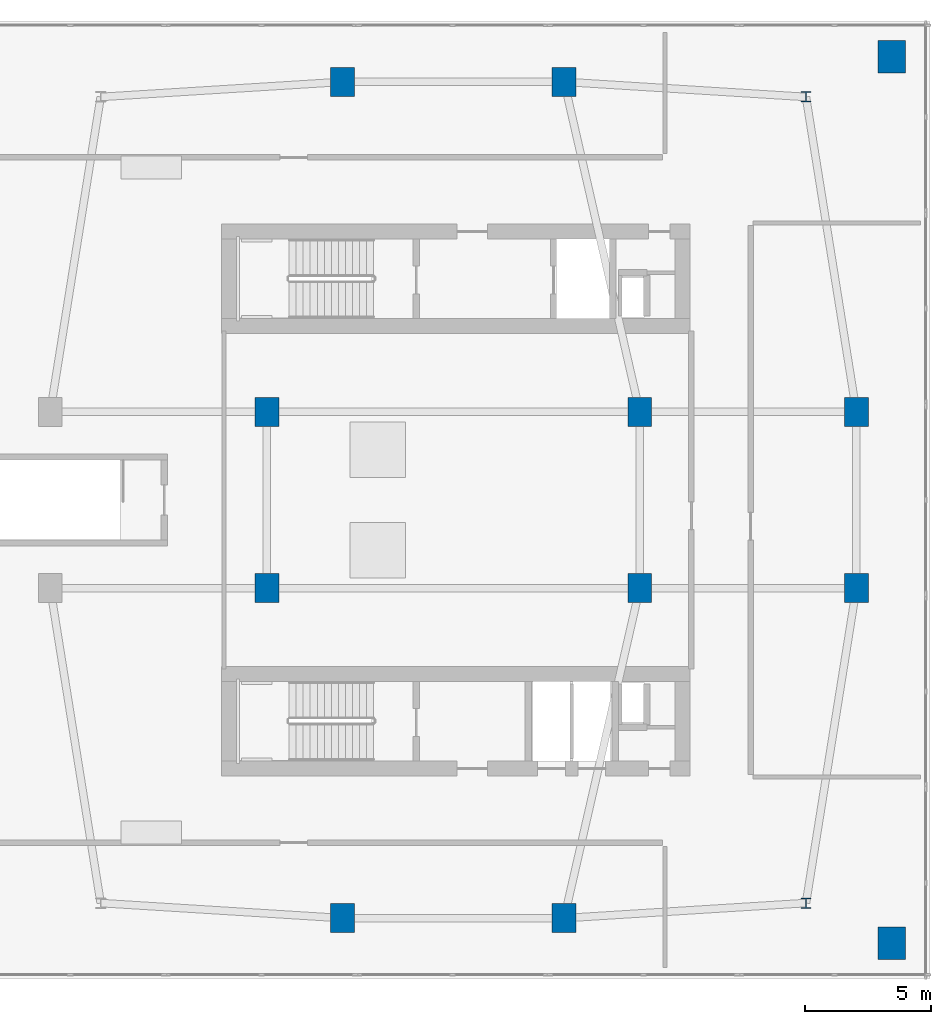
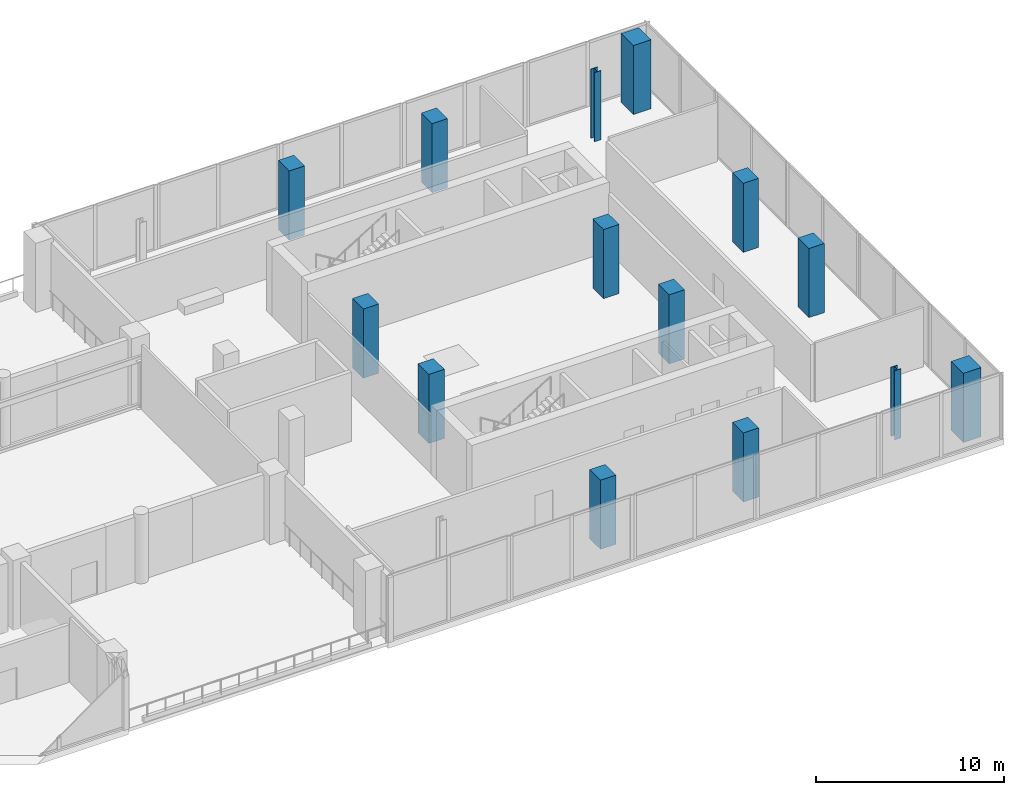
# One storey, part 3 of 21: 14 columns.
"""IFC4 building model written with IfcOpenShell, lengths in metres."""

from ifc_helpers import new_model, si_unit, derived_unit, direction, frame, origin, origin_2d, place, context, subcontext, project, spatial, rectangle, i_section, extrude, material, material_profile, profile_set, type_object, element, save


model = new_model("IFC4")

# Units and contexts
model_context = context("Model", 3, precision=1e-05, world=origin(), true_north=direction((0.0, 1.0)))
body_context = subcontext(model_context, "Body", "Model", "MODEL_VIEW")
ifc_project = project(units=[si_unit("LENGTHUNIT", "METRE"), si_unit("AREAUNIT", "SQUARE_METRE"), si_unit("VOLUMEUNIT", "CUBIC_METRE"), si_unit("PLANEANGLEUNIT", "RADIAN"), si_unit("MASSUNIT", "GRAM", prefix="KILO"), derived_unit("THERMALTRANSMITTANCEUNIT", [(si_unit("POWERUNIT", "WATT"), 1), (si_unit("LENGTHUNIT", "METRE"), -2), (si_unit("THERMODYNAMICTEMPERATUREUNIT", "KELVIN"), -1)])], contexts=[model_context])

# Site, building, storey
site_placement = place(None, origin())
site = spatial("IfcSite", under=ifc_project, at=site_placement, CompositionType="ELEMENT")
building_placement = place(site_placement, origin())
building = spatial("IfcBuilding", under=site, at=building_placement, Name="Kivonza Crest Hotel", CompositionType="ELEMENT")
storey_placement = place(building_placement, frame((0.0, 0.0, 19.5)))
storey = spatial("IfcBuildingStorey", under=building, at=storey_placement, Name="L04", CompositionType="ELEMENT", Elevation=19.5)

# Columns
ifc_material_1 = material(Name="Concrete C60/75", Category="concrete")
ifc_material_profile_1 = material_profile(ifc_material_1, rectangle(XDim=0.949951171875, YDim=1.14990234375, at=origin_2d()), Name="RC 1150x950")
ifc_profile_set_1 = profile_set([ifc_material_profile_1], Name="Concrete C60/75")
column_type_1 = type_object("IfcColumnType", Name="CL-RC-1150x950", PredefinedType="COLUMN", material=ifc_profile_set_1)
for number, where, z_axis, x_axis, name in (
    (1, (72.60009765625, 8.39990234375, 0.0), (0.0, 0.0, 1.0), (1.0, 0.0, 0.0), "Companion Tower T2 L04 column S1"),
    (2, (81.39990234375, 8.39990234375, 0.0), (0.0, 0.0, 1.0), (1.0, 0.0, 0.0), "Companion Tower T2 L04 column S2"),
    (3, (72.60009765625, 41.60009765625, 0.0), (0.0, 0.0, 1.0), (1.0, 0.0, 0.0), "Companion Tower T2 L04 column N1"),
    (4, (81.39990234375, 41.60009765625, 0.0), (0.0, 0.0, 1.0), (1.0, 0.0, 0.0), "Companion Tower T2 L04 column N2"),
    (5, (93.0, 21.5, 0.0), (0.0, 0.0, 1.0), (1.0, 0.0, 0.0), "Companion Tower T2 L04 column E1"),
    (6, (93.0, 28.5, 0.0), (0.0, 0.0, 1.0), (1.0, 0.0, 0.0), "Companion Tower T2 L04 column E2"),
    (7, (69.60009765625, 21.5, 0.0), (0.0, 0.0, 1.0), (1.0, 0.0, 0.0), "Companion Tower T2 L04 column WL1"),
    (8, (69.60009765625, 28.5, 0.0), (0.0, 0.0, 1.0), (1.0, 0.0, 0.0), "Companion Tower T2 L04 column WL2"),
    (9, (84.39990234375, 21.5, 0.0), (0.0, 0.0, 1.0), (1.0, 0.0, 0.0), "Companion Tower T2 L04 column WR1"),
    (10, (84.39990234375, 28.5, 0.0), (0.0, 0.0, 1.0), (1.0, 0.0, 0.0), "Companion Tower T2 L04 column WR2"),
):
    element("IfcColumn", number, at=place(storey_placement, frame(where, z_axis=z_axis, x_axis=x_axis)), inside=storey, type_object=column_type_1, Name=name, PredefinedType="COLUMN", context=body_context, shape_type="SweptSolid", body=[
        extrude(rectangle(XDim=0.949951171875, YDim=1.14990234375, at=origin_2d()), origin(), (0.0, 0.0, 1.0), 4.5),
    ])
ifc_material_profile_2 = material_profile(ifc_material_1, rectangle(XDim=1.10009765625, YDim=1.300048828125, at=origin_2d()), Name="RC 1300x1100")
ifc_profile_set_2 = profile_set([ifc_material_profile_2], Name="Concrete C60/75")
column_type_2 = type_object("IfcColumnType", Name="CL-RC-1300x1100", PredefinedType="COLUMN", material=ifc_profile_set_2)
for number, where, z_axis, x_axis, name in (
    (11, (94.39990234375, 7.39990234375, 0.0), (0.0, 0.0, 1.0), (1.0, 0.0, 0.0), "Podium L04 column PS44"),
    (12, (94.39990234375, 42.60009765625, 0.0), (0.0, 0.0, 1.0), (1.0, 0.0, 0.0), "Podium L04 column PN44"),
):
    element("IfcColumn", number, at=place(storey_placement, frame(where, z_axis=z_axis, x_axis=x_axis)), inside=storey, type_object=column_type_2, Name=name, PredefinedType="COLUMN", context=body_context, shape_type="SweptSolid", body=[
        extrude(rectangle(XDim=1.10009765625, YDim=1.300048828125, at=origin_2d()), origin(), (0.0, 0.0, 1.0), 4.5),
    ])
ifc_material_2 = material(Name="Steel S355", Category="steel")
ifc_material_profile_3 = material_profile(ifc_material_2, i_section(OverallWidth=0.406005859375, OverallDepth=0.416015625, WebThickness=0.02392578125, FlangeThickness=0.0390625, FilletRadius=0.014892578125, at=origin_2d()), Name="HD 400x382")
ifc_profile_set_3 = profile_set([ifc_material_profile_3], Name="Steel S355")
column_type_3 = type_object("IfcColumnType", Name="CL-ST-HD400", PredefinedType="COLUMN", material=ifc_profile_set_3)
for number, where, z_axis, x_axis, name in (
    (13, (91.0, 9.0, 0.0), (0.0, 0.0, 1.0), (1.0, 0.0, 0.0), "Companion Tower T2 L04 column SE"),
    (14, (91.0, 41.0, 0.0), (0.0, 0.0, 1.0), (1.0, 0.0, 0.0), "Companion Tower T2 L04 column NE"),
):
    element("IfcColumn", number, at=place(storey_placement, frame(where, z_axis=z_axis, x_axis=x_axis)), inside=storey, type_object=column_type_3, Name=name, PredefinedType="COLUMN", context=body_context, shape_type="SweptSolid", body=[
        extrude(i_section(OverallWidth=0.406005859375, OverallDepth=0.416015625, WebThickness=0.02392578125, FlangeThickness=0.0390625, FilletRadius=0.014892578125, at=origin_2d()), origin(), (0.0, 0.0, 1.0), 4.5),
    ])

save(model, "model.ifc")
